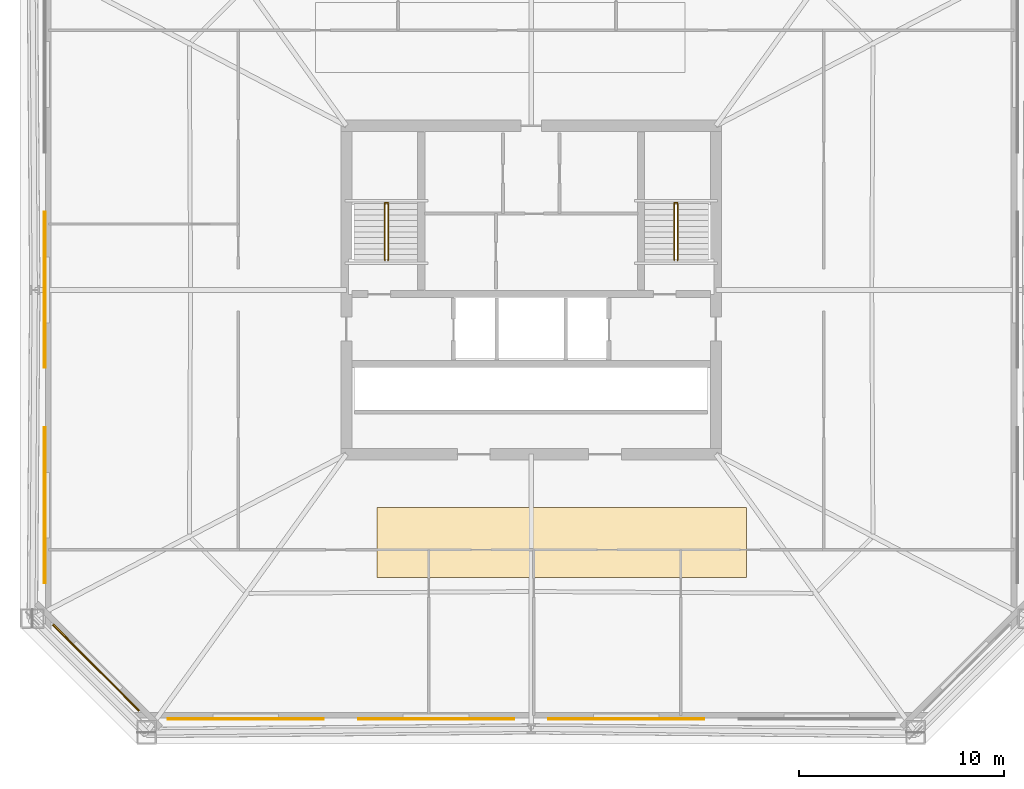
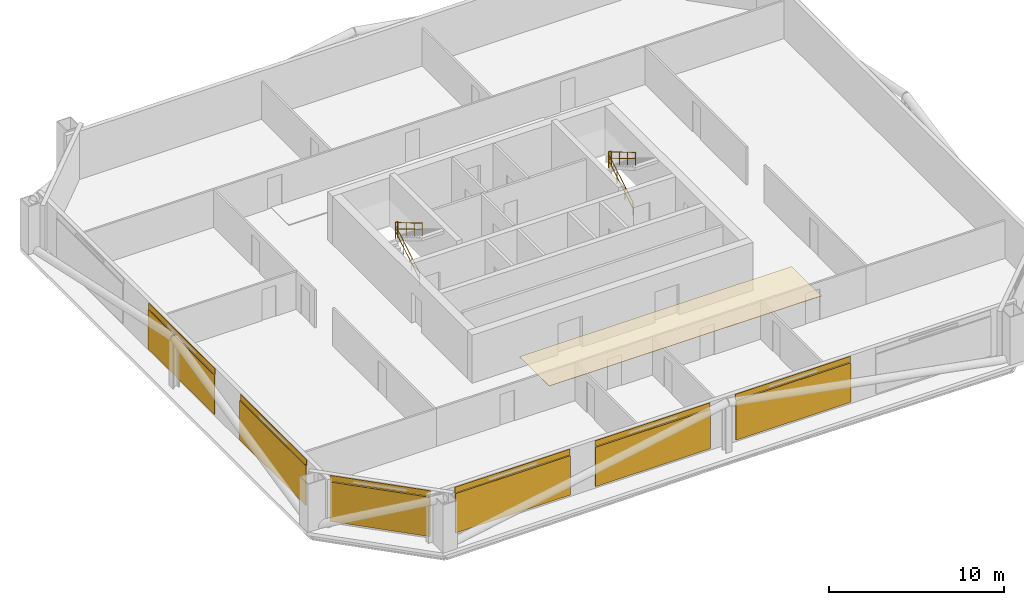
# One storey, part 5 of 6: 7 coverings, 6 railings, 6 shading devices.
"""IFC4 building model written with IfcOpenShell, lengths in metres."""

import ifcopenshell
import ifcopenshell.guid

model = None  # the IFC model being written
_history = None  # IfcOwnerHistory: only IFC2X3 demands one
_inside = {}  # id of a spatial element -> (the spatial element, [elements in it])
_under = {}  # id of a project, library or spatial element -> (it, [spatial elements below it])
_declared = {}  # id of a project -> (the project, [libraries it declares])
_typed = {}  # id of a type object -> (the type object, [elements of that type])
_made_of = {}  # id of a material, layer set ... -> (it, [elements and type objects made of it])


def new_model(schema):
    """Start an empty IFC model of exactly this schema.

    Asked for "IFC4X3", IfcOpenShell would pick the latest addendum, in which some entities
    have other attributes; the version numbers below select the first issue.
    IFC2X3 requires an IfcOwnerHistory on every rooted entity: one is made here for all.
    """
    global model, _history
    if schema == "IFC4X3":
        model = ifcopenshell.file(schema_version=(4, 3, 0, 0))
    else:
        model = ifcopenshell.file(schema=schema)
    _inside.clear()
    _under.clear()
    _declared.clear()
    _typed.clear()
    _made_of.clear()
    _history = None
    if model.schema == "IFC2X3":
        org = make("IfcOrganization", Name="unknown")
        user = make(
            "IfcPersonAndOrganization",
            ThePerson=make("IfcPerson", FamilyName="unknown"),
            TheOrganization=org,
        )
        app = make(
            "IfcApplication",
            ApplicationDeveloper=org,
            Version="unknown",
            ApplicationFullName="unknown",
            ApplicationIdentifier="unknown",
        )
        _history = make(
            "IfcOwnerHistory",
            OwningUser=user,
            OwningApplication=app,
            ChangeAction="ADDED",
            CreationDate=0,
        )
    return model


def make(cls, **values):
    """One entity of the class cls with the attributes given. An attribute that is None is left unset."""
    return model.create_entity(
        cls, **{name: value for name, value in values.items() if value is not None}
    )


def rooted(cls, **values):
    """An entity with a GlobalId (a new one), such as an element, a storey or a relation."""
    return make(cls, GlobalId=ifcopenshell.guid.new(), OwnerHistory=_history, **values)


def si_unit(unit_type, name, prefix=None):
    """IfcSIUnit, for example si_unit("LENGTHUNIT", "METRE", prefix="MILLI")."""
    return make("IfcSIUnit", UnitType=unit_type, Prefix=prefix, Name=name)


def assignment(units):
    """IfcUnitAssignment: the units of a project."""
    return None if units is None else make("IfcUnitAssignment", Units=units)


def point(xyz):
    """IfcCartesianPoint."""
    return None if xyz is None else make("IfcCartesianPoint", Coordinates=xyz)


def direction(xyz):
    """IfcDirection."""
    return None if xyz is None else make("IfcDirection", DirectionRatios=xyz)


def frame(location, z_axis=None, x_axis=None):
    """IfcAxis2Placement3D, a coordinate frame: its origin and axes. An axis left out is left unset."""
    return make(
        "IfcAxis2Placement3D",
        Location=point(location),
        Axis=direction(z_axis),
        RefDirection=direction(x_axis),
    )


def frame_2d(location, x_axis=None):
    """IfcAxis2Placement2D, a coordinate frame in the plane: its origin and x axis."""
    return make(
        "IfcAxis2Placement2D", Location=point(location), RefDirection=direction(x_axis)
    )


def origin():
    """The frame at (0, 0, 0) with its axes left unset."""
    return frame((0.0, 0.0, 0.0))


def origin_2d():
    """The frame at (0, 0) in the plane with its x axis left unset."""
    return frame_2d((0.0, 0.0))


def place(relative_to, where):
    """IfcLocalPlacement: puts the frame where relative to a parent placement (None: the world)."""
    return make(
        "IfcLocalPlacement", PlacementRelTo=relative_to, RelativePlacement=where
    )


def context(
    kind, dimensions, precision=None, world=None, true_north=None, identifier=None
):
    """IfcGeometricRepresentationContext, for example the 3D "Model" context."""
    return make(
        "IfcGeometricRepresentationContext",
        ContextIdentifier=identifier,
        ContextType=kind,
        CoordinateSpaceDimension=dimensions,
        Precision=precision,
        WorldCoordinateSystem=world,
        TrueNorth=true_north,
    )


def subcontext(parent, identifier, kind, view, scale=None):
    """IfcGeometricRepresentationSubContext, for example "Body" below "Model"."""
    return make(
        "IfcGeometricRepresentationSubContext",
        ContextIdentifier=identifier,
        ContextType=kind,
        ParentContext=parent,
        TargetScale=scale,
        TargetView=view,
    )


def project(units=None, contexts=None):
    """IfcProject with its units and contexts."""
    return rooted(
        "IfcProject",
        Name="project",
        RepresentationContexts=contexts,
        UnitsInContext=assignment(units),
    )


def spatial(cls, under=None, at=None, **own):
    """A site, building, storey or space (cls), placed at a placement, below another one or the project."""
    s = rooted(cls, ObjectPlacement=at, **own)
    if under is not None:
        _under.setdefault(under.id(), (under, []))[1].append(s)
    return s


def polyline(points):
    """IfcPolyline through the points."""
    return make("IfcPolyline", Points=[point(p) for p in points])


def profile(cls, at=None, kind="AREA", **sizes):
    """A parametric profile (cls). Its sizes go by their IFC names, for example OverallWidth=200.0."""
    return make(cls, ProfileType=kind, Position=at, **sizes)


def rectangle(**sizes):
    """IfcRectangleProfileDef."""
    return profile("IfcRectangleProfileDef", **sizes)


def circle(**sizes):
    """IfcCircleProfileDef."""
    return profile("IfcCircleProfileDef", **sizes)


def outline(outer, holes=None, kind="AREA"):
    """IfcArbitraryClosedProfileDef: a profile drawn as a closed curve; with holes, ...WithVoids."""
    if holes is None:
        return make("IfcArbitraryClosedProfileDef", ProfileType=kind, OuterCurve=outer)
    return make(
        "IfcArbitraryProfileDefWithVoids",
        ProfileType=kind,
        OuterCurve=outer,
        InnerCurves=holes,
    )


def extrude(swept, where, along, depth):
    """IfcExtrudedAreaSolid: the profile swept, set in the frame where, extruded along a direction by depth."""
    return make(
        "IfcExtrudedAreaSolid",
        SweptArea=swept,
        Position=where,
        ExtrudedDirection=direction(along),
        Depth=depth,
    )


def shape(context_of_items, identifier, shape_type, items):
    """IfcShapeRepresentation: the items that make up one representation, for example the "Body"."""
    return make(
        "IfcShapeRepresentation",
        ContextOfItems=context_of_items,
        RepresentationIdentifier=identifier,
        RepresentationType=shape_type,
        Items=items,
    )


def material(Name=None, Category=None):
    """IfcMaterial."""
    return make("IfcMaterial", Name=Name, Category=Category)


def layer(
    of_material, thickness, ventilated=None, Name=None, Category=None, Priority=None
):
    """IfcMaterialLayer: one layer of a wall or slab, of a material (None: an air gap)."""
    return make(
        "IfcMaterialLayer",
        Material=of_material,
        LayerThickness=thickness,
        IsVentilated=ventilated,
        Name=Name,
        Category=Category,
        Priority=Priority,
    )


def layer_set(layers, Name=None):
    """IfcMaterialLayerSet."""
    return make("IfcMaterialLayerSet", MaterialLayers=layers, LayerSetName=Name)


def made_of(thing, what):
    """Note that an element or type object is made of a material, layer set ...; save() writes the relation."""
    if what is not None:
        _made_of.setdefault(what.id(), (what, []))[1].append(thing)
    return thing


def type_object(cls, material=None, **own):
    """A type object (cls), such as IfcWallType, which elements share."""
    return made_of(rooted(cls, **own), material)


def element(
    cls,
    number,
    at=None,
    inside=None,
    cuts=None,
    type_object=None,
    material=None,
    context=None,
    identifier="Body",
    shape_type=None,
    held_by="IfcProductDefinitionShape",
    body=None,
    shapes=None,
    **own,
):
    """One element of the class cls, such as IfcWall. Its Tag is "e" and its number.

    at: its placement. inside: the storey or other place that contains it. cuts: it is an
    opening in that element (IfcRelVoidsElement). A single representation is given by context,
    identifier, shape_type and body (its items); several are given by shapes. held_by: the class
    of the entity that holds the representations. save() writes the other relations.
    """
    e = rooted(cls, Tag="e%d" % number, ObjectPlacement=at, **own)
    if body is not None:
        shapes = [shape(context, identifier, shape_type, body)]
    if shapes is not None:
        e.Representation = make(held_by, Representations=shapes)
    if inside is not None:
        _inside.setdefault(inside.id(), (inside, []))[1].append(e)
    if cuts is not None:
        rooted(
            "IfcRelVoidsElement", RelatingBuildingElement=cuts, RelatedOpeningElement=e
        )
    if type_object is not None:
        _typed.setdefault(type_object.id(), (type_object, []))[1].append(e)
    return made_of(e, material)


def aggregate(whole, parts):
    """IfcRelAggregates: a whole, such as a stair, and the parts it consists of."""
    return rooted("IfcRelAggregates", RelatingObject=whole, RelatedObjects=parts)


def save(model, path):
    """Write the relations noted so far, then the file.

    IfcRelAggregates (storeys below a building ...), IfcRelContainedInSpatialStructure (elements
    in a storey), IfcRelDefinesByType, IfcRelAssociatesMaterial and IfcRelDeclares: one each for
    every whole, place, type object, material and project.
    """
    for whole, parts in _under.values():
        aggregate(whole, parts)
    for where, things in _inside.values():
        rooted(
            "IfcRelContainedInSpatialStructure",
            RelatedElements=things,
            RelatingStructure=where,
        )
    for kind, things in _typed.values():
        rooted("IfcRelDefinesByType", RelatedObjects=things, RelatingType=kind)
    for what, things in _made_of.values():
        rooted("IfcRelAssociatesMaterial", RelatedObjects=things, RelatingMaterial=what)
    for by, libraries in _declared.values():
        rooted("IfcRelDeclares", RelatingContext=by, RelatedDefinitions=libraries)
    model.write(path)


model = new_model("IFC4")

# Units and contexts
model_context = context("Model", 3, precision=1e-05, world=origin(), true_north=direction((0.0, 1.0)))
body_context = subcontext(model_context, "Body", "Model", "MODEL_VIEW")
ifc_project = project(units=[si_unit("LENGTHUNIT", "METRE"), si_unit("AREAUNIT", "SQUARE_METRE"), si_unit("VOLUMEUNIT", "CUBIC_METRE"), si_unit("PLANEANGLEUNIT", "RADIAN"), si_unit("MASSUNIT", "GRAM", prefix="KILO")], contexts=[model_context])

# Site, building, storey
site_placement = place(None, origin())
site = spatial("IfcSite", under=ifc_project, at=site_placement, CompositionType="ELEMENT")
building_placement = place(site_placement, origin())
building = spatial("IfcBuilding", under=site, at=building_placement, Name="Caelvoria Tower", CompositionType="ELEMENT")
storey_placement = place(building_placement, frame((0.0, 0.0, 95.199951171875)))
storey = spatial("IfcBuildingStorey", under=building, at=storey_placement, Name="L24", CompositionType="ELEMENT", Elevation=95.199951171875)

# Coverings
ifc_material_1 = material(Name="Acoustic Mineral Fibre Tile", Category="gypsum")
ifc_layer_1 = layer(ifc_material_1, 0.02490234375, Name="Acoustic Mineral Fibre Tile")
ifc_layer_set_1 = layer_set([ifc_layer_1], Name="Mineral-Fibre Acoustic Suspended Ceiling 25 - Acoustic Mineral Fibre Tile")
covering_type_1 = type_object("IfcCoveringType", Name="Mineral-Fibre Acoustic Suspended Ceiling 25", PredefinedType="CEILING", material=ifc_layer_set_1)
covering_1_placement = place(storey_placement, frame((0.0, 0.0, 2.635009765625)))
element("IfcCovering", 1, at=covering_1_placement, inside=storey, type_object=covering_type_1, Name="Suspended Acoustic Ceiling L24", PredefinedType="CEILING", context=body_context, shape_type="SweptSolid", body=[
    extrude(outline(polyline([(38.5, 18.0), (56.5, 18.0), (56.5, 21.39990234375), (38.5, 21.39990234375), (38.5, 18.0)])), origin(), (0.0, 0.0, 1.0), 0.025146484375),
])
ifc_material_2 = material(Name="Perforated Architectural Bronze Cladding Screen", Category="bronze")
ifc_layer_2 = layer(ifc_material_2, 0.0400390625, Name="Perforated Architectural Bronze Cladding Screen")
ifc_layer_set_2 = layer_set([ifc_layer_2], Name="Perforated Bronze Louvre Cladding Band 40 - Perforated Architectural Bronze Cladding Screen")
covering_type_2 = type_object("IfcCoveringType", Name="Perforated Bronze Louvre Cladding Band 40", PredefinedType="CLADDING", material=ifc_layer_set_2)
for number, where, z_axis, x_axis, name in (
    (2, (32.094970703125, 11.1279296875, 2.940185546875), (0.0, 0.0, 1.0), (1.0, 0.0, 0.0), "Perforated Bronze Screen Band L24-E0-00"),
    (3, (41.364990234375, 11.1279296875, 2.940185546875), (0.0, 0.0, 1.0), (1.0, 0.0, 0.0), "Perforated Bronze Screen Band L24-E0-01"),
    (4, (50.635009765625, 11.1279296875, 2.940185546875), (0.0, 0.0, 1.0), (1.0, 0.0, 0.0), "Perforated Bronze Screen Band L24-E0-02"),
    (5, (22.327880859375, 32.0, 2.940185546875), (0.0, 0.0, 1.0), (0.0, -1.0, 0.0), "Perforated Bronze Screen Band L24-E6-01"),
    (6, (22.327880859375, 21.506591796875, 2.940185546875), (0.0, 0.0, 1.0), (0.0, -1.0, 0.0), "Perforated Bronze Screen Band L24-E6-02"),
):
    element("IfcCovering", number, at=place(storey_placement, frame(where, z_axis=z_axis, x_axis=x_axis)), inside=storey, type_object=covering_type_2, Name=name, PredefinedType="CLADDING", context=body_context, shape_type="SweptSolid", body=[
        extrude(rectangle(XDim=7.60009765625, YDim=0.0400390625, at=origin_2d()), origin(), (0.0, 0.0, 1.0), 0.39990234375),
    ])
covering_2_placement = place(storey_placement, frame((24.818359375, 13.618408203125, 2.940185546875), z_axis=(0.0, 0.0, 1.0), x_axis=(0.707106781187, -0.707106781187, 0.0)))
element("IfcCovering", 7, at=covering_2_placement, inside=storey, type_object=covering_type_2, Name="Perforated Bronze Screen Band L24-E7-00", PredefinedType="CLADDING", context=body_context, shape_type="SweptSolid", body=[
    extrude(rectangle(XDim=5.93212890625, YDim=0.0400390625, at=origin_2d()), origin(), (0.0, 0.0, 1.0), 0.39990234375),
])

# Shading devices
ifc_material_3 = material(Name="Perforated Architectural Bronze Alloy Panel", Category="bronze")
ifc_layer_3 = layer(ifc_material_3, 0.044921875, Name="Perforated Architectural Bronze Alloy Panel")
ifc_layer_set_3 = layer_set([ifc_layer_3], Name="Perforated Bronze Solar Screen Panel SCREEN - Perforated Architectural Bronze Alloy Panel")
shading_device_type = type_object("IfcShadingDeviceType", Name="Perforated Bronze Solar Screen Panel SCREEN", PredefinedType="USERDEFINED", material=ifc_layer_set_3)
for number, where, z_axis, x_axis, name in (
    (8, (32.094970703125, 11.0849609375, 0.16015625), (0.0, 0.0, 1.0), (1.0, 0.0, 0.0), "Perforated Bronze Solar Screen L24-E0-00"),
    (9, (41.364990234375, 11.0849609375, 0.16015625), (0.0, 0.0, 1.0), (1.0, 0.0, 0.0), "Perforated Bronze Solar Screen L24-E0-01"),
    (10, (50.635009765625, 11.0849609375, 0.16015625), (0.0, 0.0, 1.0), (1.0, 0.0, 0.0), "Perforated Bronze Solar Screen L24-E0-02"),
    (11, (22.284912109375, 32.0, 0.16015625), (0.0, 0.0, 1.0), (0.0, -1.0, 0.0), "Perforated Bronze Solar Screen L24-E6-01"),
    (12, (22.284912109375, 21.506591796875, 0.16015625), (0.0, 0.0, 1.0), (0.0, -1.0, 0.0), "Perforated Bronze Solar Screen L24-E6-02"),
):
    element("IfcShadingDevice", number, at=place(storey_placement, frame(where, z_axis=z_axis, x_axis=x_axis)), inside=storey, type_object=shading_device_type, Name=name, ObjectType="SCREEN", PredefinedType="USERDEFINED", context=body_context, shape_type="SweptSolid", body=[
        extrude(rectangle(XDim=7.60009765625, YDim=0.044921875, at=origin_2d()), origin(), (0.0, 0.0, 1.0), 2.75),
    ])
shading_device_placement = place(storey_placement, frame((24.787841796875, 13.587890625, 0.16015625), z_axis=(0.0, 0.0, 1.0), x_axis=(0.707106781187, -0.707106781187, 0.0)))
element("IfcShadingDevice", 13, at=shading_device_placement, inside=storey, type_object=shading_device_type, Name="Perforated Bronze Solar Screen L24-E7-00", ObjectType="SCREEN", PredefinedType="USERDEFINED", context=body_context, shape_type="SweptSolid", body=[
    extrude(rectangle(XDim=5.93212890625, YDim=0.044921875, at=origin_2d()), origin(), (0.0, 0.0, 1.0), 2.75),
])

# Railings
ifc_material_4 = material(Name="Brushed Stainless Steel Tube", Category="steel")
railing_type_1 = type_object("IfcRailingType", Name="Stair Tubular Stainless Handrail 920", PredefinedType="HANDRAIL", material=ifc_material_4)
railing_1_placement = place(storey_placement, frame((38.8701171875, 33.449951171875, 0.16357421875)))
element("IfcRailing", 14, at=railing_1_placement, inside=storey, type_object=railing_type_1, Name="ST-01 Flight 1 Handrail L24", PredefinedType="HANDRAIL", context=body_context, shape_type="SweptSolid", body=[
    extrude(circle(Radius=0.02392578125, at=origin_2d()), frame((0.0, 0.0, 0.89599609375), z_axis=(0.0, 0.859351957796, 0.511384603436), x_axis=(-1.0, 0.0, 0.0)), (0.0, 0.0, 1.0), 3.2001953125),
    extrude(circle(Radius=0.02392578125, at=origin_2d()), frame((0.0, 0.0, 0.4599609375), z_axis=(0.0, 0.859351957796, 0.511384603436), x_axis=(-1.0, 0.0, 0.0)), (0.0, 0.0, 1.0), 3.2001953125),
    extrude(circle(Radius=0.02099609375, at=origin_2d()), origin(), (0.0, 0.0, 1.0), 0.871826171875),
    extrude(circle(Radius=0.02099609375, at=origin_2d()), frame((0.0, 0.916748046875, 0.54541015625)), (0.0, 0.0, 1.0), 0.871826171875),
    extrude(circle(Radius=0.02099609375, at=origin_2d()), frame((0.0, 1.833251953125, 1.091064453125)), (0.0, 0.0, 1.0), 0.871826171875),
    extrude(circle(Radius=0.02099609375, at=origin_2d()), frame((0.0, 2.75, 1.636474609375)), (0.0, 0.0, 1.0), 0.871826171875),
])
railing_2_placement = place(storey_placement, frame((39.030029296875, 36.199951171875, 1.963623046875)))
element("IfcRailing", 15, at=railing_2_placement, inside=storey, type_object=railing_type_1, Name="ST-01 Flight 2 Handrail L24", PredefinedType="HANDRAIL", context=body_context, shape_type="SweptSolid", body=[
    extrude(circle(Radius=0.02392578125, at=origin_2d()), frame((0.0, 0.0, 0.89599609375), z_axis=(0.0, -0.859351957796, 0.511384603436), x_axis=(1.0, 0.0, 0.0)), (0.0, 0.0, 1.0), 3.2001953125),
    extrude(circle(Radius=0.02392578125, at=origin_2d()), frame((0.0, 0.0, 0.4599609375), z_axis=(0.0, -0.859351957796, 0.511384603436), x_axis=(1.0, 0.0, 0.0)), (0.0, 0.0, 1.0), 3.2001953125),
    extrude(circle(Radius=0.02099609375, at=origin_2d()), origin(), (0.0, 0.0, 1.0), 0.871826171875),
    extrude(circle(Radius=0.02099609375, at=origin_2d()), frame((0.0, -0.916748046875, 0.54541015625)), (0.0, 0.0, 1.0), 0.871826171875),
    extrude(circle(Radius=0.02099609375, at=origin_2d()), frame((0.0, -1.833251953125, 1.091064453125)), (0.0, 0.0, 1.0), 0.871826171875),
    extrude(circle(Radius=0.02099609375, at=origin_2d()), frame((0.0, -2.75, 1.636474609375)), (0.0, 0.0, 1.0), 0.871826171875),
])
railing_3_placement = place(storey_placement, frame((52.969970703125, 33.449951171875, 0.16357421875)))
element("IfcRailing", 16, at=railing_3_placement, inside=storey, type_object=railing_type_1, Name="ST-02 Flight 1 Handrail L24", PredefinedType="HANDRAIL", context=body_context, shape_type="SweptSolid", body=[
    extrude(circle(Radius=0.02392578125, at=origin_2d()), frame((0.0, 0.0, 0.89599609375), z_axis=(0.0, 0.859351957796, 0.511384603436), x_axis=(-1.0, 0.0, 0.0)), (0.0, 0.0, 1.0), 3.2001953125),
    extrude(circle(Radius=0.02392578125, at=origin_2d()), frame((0.0, 0.0, 0.4599609375), z_axis=(0.0, 0.859351957796, 0.511384603436), x_axis=(-1.0, 0.0, 0.0)), (0.0, 0.0, 1.0), 3.2001953125),
    extrude(circle(Radius=0.02099609375, at=origin_2d()), origin(), (0.0, 0.0, 1.0), 0.871826171875),
    extrude(circle(Radius=0.02099609375, at=origin_2d()), frame((0.0, 0.916748046875, 0.54541015625)), (0.0, 0.0, 1.0), 0.871826171875),
    extrude(circle(Radius=0.02099609375, at=origin_2d()), frame((0.0, 1.833251953125, 1.091064453125)), (0.0, 0.0, 1.0), 0.871826171875),
    extrude(circle(Radius=0.02099609375, at=origin_2d()), frame((0.0, 2.75, 1.636474609375)), (0.0, 0.0, 1.0), 0.871826171875),
])
railing_4_placement = place(storey_placement, frame((53.1298828125, 36.199951171875, 1.963623046875)))
element("IfcRailing", 17, at=railing_4_placement, inside=storey, type_object=railing_type_1, Name="ST-02 Flight 2 Handrail L24", PredefinedType="HANDRAIL", context=body_context, shape_type="SweptSolid", body=[
    extrude(circle(Radius=0.02392578125, at=origin_2d()), frame((0.0, 0.0, 0.89599609375), z_axis=(0.0, -0.859351957796, 0.511384603436), x_axis=(1.0, 0.0, 0.0)), (0.0, 0.0, 1.0), 3.2001953125),
    extrude(circle(Radius=0.02392578125, at=origin_2d()), frame((0.0, 0.0, 0.4599609375), z_axis=(0.0, -0.859351957796, 0.511384603436), x_axis=(1.0, 0.0, 0.0)), (0.0, 0.0, 1.0), 3.2001953125),
    extrude(circle(Radius=0.02099609375, at=origin_2d()), origin(), (0.0, 0.0, 1.0), 0.871826171875),
    extrude(circle(Radius=0.02099609375, at=origin_2d()), frame((0.0, -0.916748046875, 0.54541015625)), (0.0, 0.0, 1.0), 0.871826171875),
    extrude(circle(Radius=0.02099609375, at=origin_2d()), frame((0.0, -1.833251953125, 1.091064453125)), (0.0, 0.0, 1.0), 0.871826171875),
    extrude(circle(Radius=0.02099609375, at=origin_2d()), frame((0.0, -2.75, 1.636474609375)), (0.0, 0.0, 1.0), 0.871826171875),
])
ifc_material_5 = material(Name="Brushed Stainless Steel Guardrail", Category="steel")
railing_type_2 = type_object("IfcRailingType", Name="Stair Well and Ramp Guardrail 1120", PredefinedType="GUARDRAIL", material=ifc_material_5)
for number, where, name in (
    (18, (38.8701171875, 36.239990234375, 1.800048828125), "ST-01 Half-Landing Well Guard L24"),
    (19, (52.969970703125, 36.239990234375, 1.800048828125), "ST-02 Half-Landing Well Guard L24"),
):
    element("IfcRailing", number, at=place(storey_placement, frame(where)), inside=storey, type_object=railing_type_2, Name=name, PredefinedType="GUARDRAIL", context=body_context, shape_type="SweptSolid", body=[
        extrude(circle(Radius=0.02392578125, at=origin_2d()), frame((0.0, 0.0, 1.09619140625), z_axis=(1.0, 0.0, 0.0), x_axis=(0.0, 1.0, 0.0)), (0.0, 0.0, 1.0), 0.159912109375),
        extrude(circle(Radius=0.02392578125, at=origin_2d()), frame((0.0, 0.0, 0.56005859375), z_axis=(1.0, 0.0, 0.0), x_axis=(0.0, 1.0, 0.0)), (0.0, 0.0, 1.0), 0.159912109375),
        extrude(circle(Radius=0.02099609375, at=origin_2d()), origin(), (0.0, 0.0, 1.0), 1.072021484375),
        extrude(circle(Radius=0.02099609375, at=origin_2d()), frame((0.159912109375, 0.0, 0.0)), (0.0, 0.0, 1.0), 1.072021484375),
    ])

save(model, "model.ifc")
